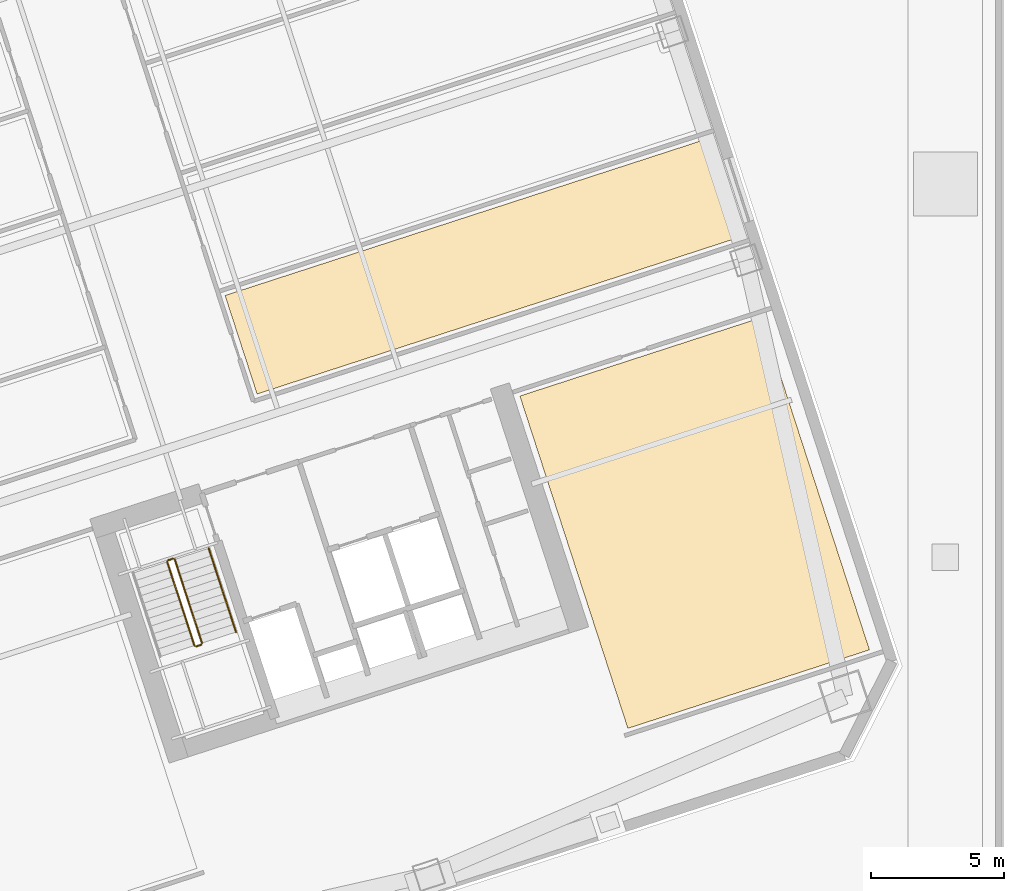
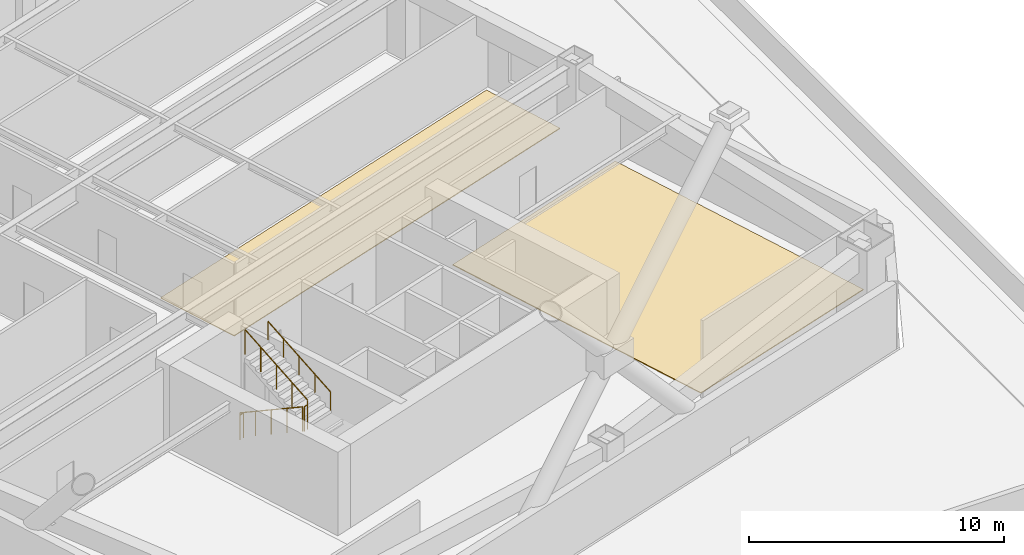
# One storey, part 18 of 20: 5 railings, 2 coverings.
"""IFC4 building model written with IfcOpenShell, lengths in metres."""

from ifc_helpers import new_model, si_unit, direction, frame, origin, origin_2d, place, context, subcontext, project, spatial, polyline, circle, outline, extrude, material, layer, layer_set, type_object, element, save


model = new_model("IFC4")

# Units and contexts
model_context = context("Model", 3, precision=1e-05, world=origin(), true_north=direction((0.0, 1.0)))
body_context = subcontext(model_context, "Body", "Model", "MODEL_VIEW")
ifc_project = project(units=[si_unit("LENGTHUNIT", "METRE"), si_unit("AREAUNIT", "SQUARE_METRE"), si_unit("VOLUMEUNIT", "CUBIC_METRE"), si_unit("PLANEANGLEUNIT", "RADIAN"), si_unit("MASSUNIT", "GRAM", prefix="KILO")], contexts=[model_context])

# Site, building, storey
site_placement = place(None, origin())
site = spatial("IfcSite", under=ifc_project, at=site_placement, CompositionType="ELEMENT")
building_placement = place(site_placement, origin())
building = spatial("IfcBuilding", under=site, at=building_placement, Name="Qiaolan Cultural Towers", CompositionType="ELEMENT")
storey_placement = place(building_placement, frame((0.0, 0.0, 26.0)))
storey = spatial("IfcBuildingStorey", under=building, at=storey_placement, Name="L05", CompositionType="ELEMENT", Elevation=26.0)

# Coverings
ifc_material_1 = material(Name="Honed Terrazzo & Raised Access Flooring", Category="concrete")
ifc_layer = layer(ifc_material_1, 0.0400390625)
ifc_layer_set = layer_set([ifc_layer], Name="Honed Terrazzo & Raised Access Flooring")
covering_type = type_object("IfcCoveringType", Name="COV-FLR-STONE", PredefinedType="FLOORING", material=ifc_layer_set)
covering_1_placement = place(storey_placement, origin())
element("IfcCovering", 1, at=covering_1_placement, inside=storey, type_object=covering_type, Name="L05 Corner Curatorial Office Finish Flooring", PredefinedType="FLOORING", context=body_context, shape_type="SweptSolid", body=[
    extrude(outline(polyline([(114.951171875, 16.525146484375), (110.900146484375, 28.993408203125), (101.83642578125, 26.048583984375), (105.8876953125, 13.580078125), (114.951171875, 16.525146484375)])), origin(), (0.0, 0.0, 1.0), 0.0400390625),
])
covering_2_placement = place(storey_placement, origin())
element("IfcCovering", 2, at=covering_2_placement, inside=storey, type_object=covering_type, Name="L05 Design Office Finish Flooring", PredefinedType="FLOORING", context=body_context, shape_type="SweptSolid", body=[
    extrude(outline(polyline([(110.154541015625, 32.03173828125), (108.95361328125, 35.72802734375), (90.774169921875, 29.821044921875), (91.97509765625, 26.125), (110.154541015625, 32.03173828125)])), origin(), (0.0, 0.0, 1.0), 0.0400390625),
])

# Railings
ifc_material_2 = material(Name="Galvanized Painted Steel Stair Guardrail", Category="steel")
railing_type_1 = type_object("IfcRailingType", Name="RL-STAIR-GRD", PredefinedType="GUARDRAIL", material=ifc_material_2)
railing_1_placement = place(storey_placement, frame((88.60205078125, 19.82421875, 0.166748046875)))
element("IfcRailing", 3, at=railing_1_placement, inside=storey, type_object=railing_type_1, Name="L05 ST-E1 stair guard 1", PredefinedType="GUARDRAIL", context=body_context, shape_type="SweptSolid", body=[
    extrude(circle(Radius=0.02392578125, at=origin_2d()), frame((0.0, 0.0, 1.17578125), z_axis=(0.270140520196, -0.831375721119, 0.485632072336), x_axis=(0.951053095941, 0.309027520945, 0.0)), (0.0, 0.0, 1.0), 3.77490234375),
    extrude(circle(Radius=0.02099609375, at=origin_2d()), origin(), (0.0, 0.0, 1.0), 1.15185546875),
    extrude(circle(Radius=0.02099609375, at=origin_2d()), frame((0.2548828125, -0.78466796875, 0.458251953125)), (0.0, 0.0, 1.0), 1.15185546875),
    extrude(circle(Radius=0.02099609375, at=origin_2d()), frame((0.509765625, -1.5693359375, 0.91650390625)), (0.0, 0.0, 1.0), 1.15185546875),
    extrude(circle(Radius=0.02099609375, at=origin_2d()), frame((0.764892578125, -2.353759765625, 1.375)), (0.0, 0.0, 1.0), 1.15185546875),
    extrude(circle(Radius=0.02099609375, at=origin_2d()), frame((1.019775390625, -3.138427734375, 1.833251953125)), (0.0, 0.0, 1.0), 1.15185546875),
])
railing_2_placement = place(storey_placement, frame((89.684814453125, 16.653564453125, 2.0)))
element("IfcRailing", 4, at=railing_2_placement, inside=storey, type_object=railing_type_1, Name="L05 ST-E1 stair guard 2", PredefinedType="GUARDRAIL", context=body_context, shape_type="SweptSolid", body=[
    extrude(circle(Radius=0.02392578125, at=origin_2d()), frame((0.0, 0.0, 1.17578125), z_axis=(0.951096855055, 0.308892816854, 0.0), x_axis=(-0.308892816854, 0.951096855055, 0.0)), (0.0, 0.0, 1.0), 0.199951171875),
    extrude(circle(Radius=0.02099609375, at=origin_2d()), origin(), (0.0, 0.0, 1.0), 1.15185546875),
    extrude(circle(Radius=0.02099609375, at=origin_2d()), frame((0.190185546875, 0.061767578125, 0.0)), (0.0, 0.0, 1.0), 1.15185546875),
])
railing_3_placement = place(storey_placement, frame((89.9072265625, 16.778564453125, 2.166748046875)))
element("IfcRailing", 5, at=railing_3_placement, inside=storey, type_object=railing_type_1, Name="L05 ST-E1 stair guard 3", PredefinedType="GUARDRAIL", context=body_context, shape_type="SweptSolid", body=[
    extrude(circle(Radius=0.02392578125, at=origin_2d()), frame((0.0, 0.0, 1.17578125), z_axis=(-0.270140520196, 0.831375721119, 0.485632072336), x_axis=(-0.951053095941, -0.309027520945, 0.0)), (0.0, 0.0, 1.0), 3.77490234375),
    extrude(circle(Radius=0.02099609375, at=origin_2d()), origin(), (0.0, 0.0, 1.0), 1.15185546875),
    extrude(circle(Radius=0.02099609375, at=origin_2d()), frame((-0.2548828125, 0.78466796875, 0.458251953125)), (0.0, 0.0, 1.0), 1.15185546875),
    extrude(circle(Radius=0.02099609375, at=origin_2d()), frame((-0.509765625, 1.5693359375, 0.91650390625)), (0.0, 0.0, 1.0), 1.15185546875),
    extrude(circle(Radius=0.02099609375, at=origin_2d()), frame((-0.764892578125, 2.353759765625, 1.375)), (0.0, 0.0, 1.0), 1.15185546875),
    extrude(circle(Radius=0.02099609375, at=origin_2d()), frame((-1.019775390625, 3.138427734375, 1.833251953125)), (0.0, 0.0, 1.0), 1.15185546875),
])
railing_4_placement = place(storey_placement, frame((88.63427734375, 19.88720703125, 0.0)))
element("IfcRailing", 6, at=railing_4_placement, inside=storey, type_object=railing_type_1, Name="L05 ST-E1 stair guard 4", PredefinedType="GUARDRAIL", context=body_context, shape_type="SweptSolid", body=[
    extrude(circle(Radius=0.02392578125, at=origin_2d()), frame((0.0, 0.0, 1.17578125), z_axis=(0.951096855055, 0.308892816854, 0.0), x_axis=(-0.308892816854, 0.951096855055, 0.0)), (0.0, 0.0, 1.0), 0.199951171875),
    extrude(circle(Radius=0.02099609375, at=origin_2d()), origin(), (0.0, 0.0, 1.0), 1.15185546875),
    extrude(circle(Radius=0.02099609375, at=origin_2d()), frame((0.190185546875, 0.061767578125, 0.0)), (0.0, 0.0, 1.0), 1.15185546875),
])
ifc_material_3 = material(Name="Stainless Steel S30408 Tubular Handrail", Category="steel")
railing_type_2 = type_object("IfcRailingType", Name="RL-STAIR-HR", PredefinedType="HANDRAIL", material=ifc_material_3)
railing_5_placement = place(storey_placement, frame((91.181640625, 17.192626953125, 2.166748046875)))
element("IfcRailing", 7, at=railing_5_placement, inside=storey, type_object=railing_type_2, Name="L05 ST-E1 stair handrail 2", PredefinedType="HANDRAIL", context=body_context, shape_type="SweptSolid", body=[
    extrude(circle(Radius=0.02392578125, at=origin_2d()), frame((0.0, 0.0, 0.8759765625), z_axis=(-0.270140520196, 0.831375721119, 0.485632072336), x_axis=(-0.951053095941, -0.309027520945, 0.0)), (0.0, 0.0, 1.0), 3.77490234375),
    extrude(circle(Radius=0.02099609375, at=origin_2d()), origin(), (0.0, 0.0, 1.0), 0.851806640625),
    extrude(circle(Radius=0.02099609375, at=origin_2d()), frame((-0.2548828125, 0.78466796875, 0.458251953125)), (0.0, 0.0, 1.0), 0.851806640625),
    extrude(circle(Radius=0.02099609375, at=origin_2d()), frame((-0.509765625, 1.5693359375, 0.91650390625)), (0.0, 0.0, 1.0), 0.851806640625),
    extrude(circle(Radius=0.02099609375, at=origin_2d()), frame((-0.764892578125, 2.353759765625, 1.375)), (0.0, 0.0, 1.0), 0.851806640625),
    extrude(circle(Radius=0.02099609375, at=origin_2d()), frame((-1.019775390625, 3.138427734375, 1.833251953125)), (0.0, 0.0, 1.0), 0.851806640625),
])

save(model, "model.ifc")
